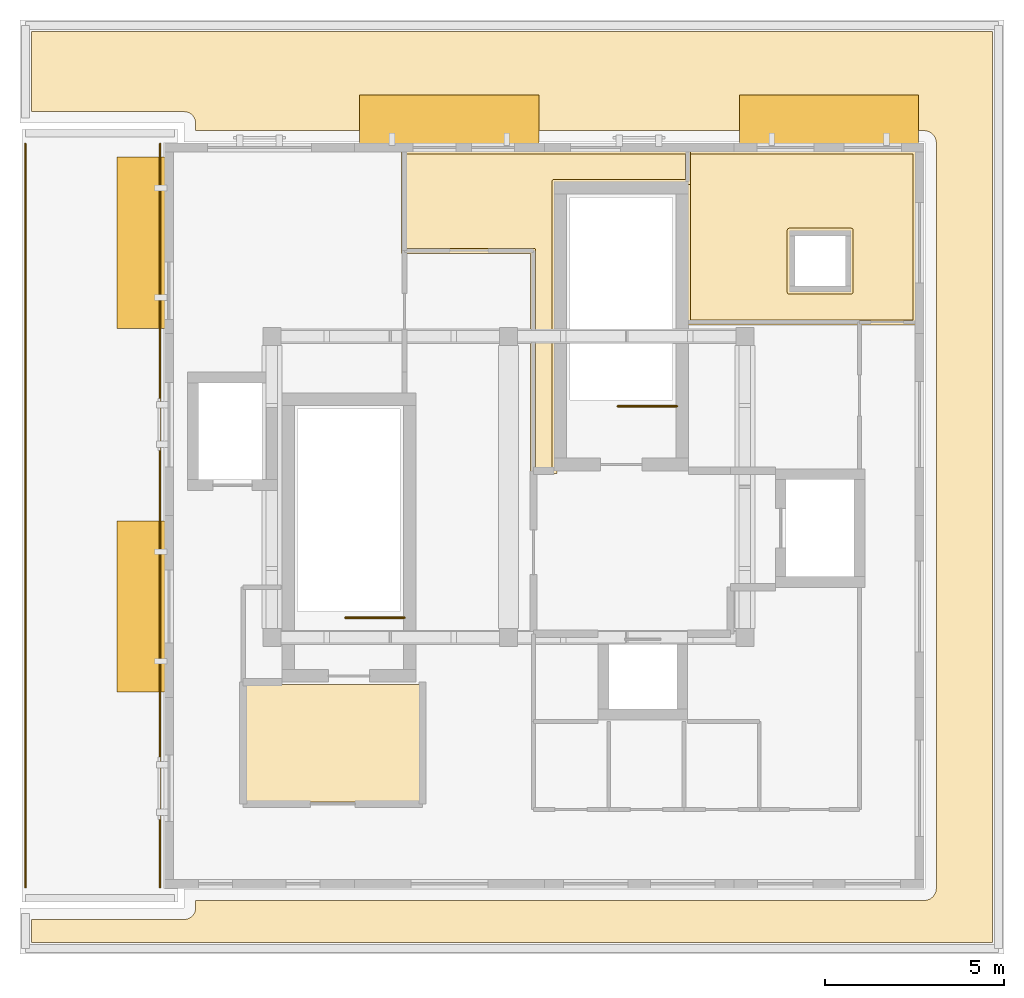
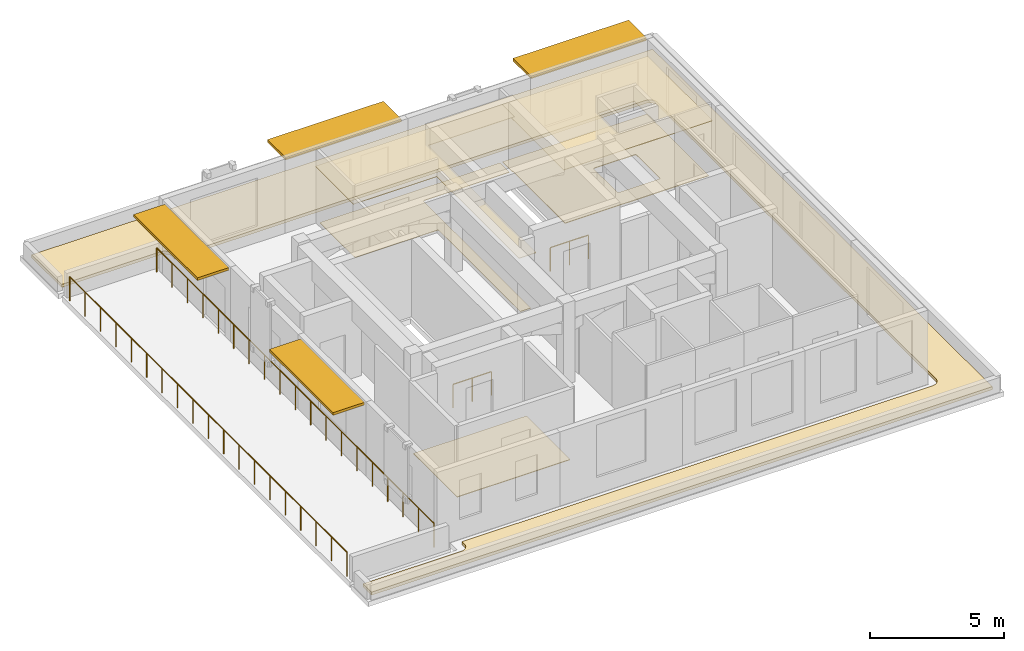
# One storey, part 5 of 5: 6 coverings, 4 railings, 4 shading devices.
"""IFC4 building model written with IfcOpenShell, lengths in metres."""

from ifc_helpers import new_model, si_unit, direction, frame, origin, origin_2d, place, context, subcontext, project, spatial, polyline, rectangle, circle, outline, extrude, material, layer, layer_set, type_object, element, save


model = new_model("IFC4")

# Units and contexts
model_context = context("Model", 3, precision=1e-05, world=origin(), true_north=direction((0.0, 1.0)))
body_context = subcontext(model_context, "Body", "Model", "MODEL_VIEW")
ifc_project = project(units=[si_unit("LENGTHUNIT", "METRE"), si_unit("AREAUNIT", "SQUARE_METRE"), si_unit("VOLUMEUNIT", "CUBIC_METRE"), si_unit("PLANEANGLEUNIT", "RADIAN"), si_unit("MASSUNIT", "GRAM", prefix="KILO")], contexts=[model_context])

# Site, building, storey
site_placement = place(None, origin())
site = spatial("IfcSite", under=ifc_project, at=site_placement, CompositionType="ELEMENT")
building_placement = place(site_placement, origin())
building = spatial("IfcBuilding", under=site, at=building_placement, Name="Kolvaren Faculty of Natural Sciences", CompositionType="ELEMENT")
storey_placement = place(building_placement, frame((0.0, 0.0, 44.39990234375)))
storey = spatial("IfcBuildingStorey", under=building, at=storey_placement, Name="L10", CompositionType="ELEMENT", Elevation=44.39990234375)

# Coverings
ifc_material_1 = material(Name="Perforated mineral-fibre acoustic suspended ceiling tile")
ifc_layer_1 = layer(ifc_material_1, 0.02490234375)
ifc_layer_set_1 = layer_set([ifc_layer_1], Name="Perforated mineral-fibre acoustic suspended ceiling tile")
covering_type_1 = type_object("IfcCoveringType", Name="AcousticSuspendedCeiling_25", PredefinedType="CEILING", material=ifc_layer_set_1)
covering_1_placement = place(storey_placement, frame((0.0, 0.0, 2.565185546875)))
element("IfcCovering", 1, at=covering_1_placement, inside=storey, type_object=covering_type_1, Name="L10 Observatory Instrument and Telescope Hall acoustic ceiling", PredefinedType="CEILING", context=body_context, shape_type="SweptSolid", body=[
    extrude(outline(polyline([(159.219970703125, 78.1201171875), (155.6201171875, 78.1201171875), (155.6201171875, 80.97998046875), (163.679931640625, 80.97998046875), (163.679931640625, 80.044921875), (159.955078125, 80.044921875), (159.955078125, 71.969970703125), (159.219970703125, 71.969970703125), (159.219970703125, 78.1201171875)])), origin(), (0.0, 0.0, 1.0), 0.02490234375),
])
covering_2_placement = place(storey_placement, frame((0.0, 0.0, 2.565185546875)))
element("IfcCovering", 2, at=covering_2_placement, inside=storey, type_object=covering_type_1, Name="L10 Faculty Sky Reading Lounge acoustic ceiling", PredefinedType="CEILING", context=body_context, shape_type="SweptSolid", body=[
    extrude(outline(polyline([(163.544921875, 80.044921875), (163.52001953125, 80.044921875), (163.52001953125, 80.97998046875), (169.97998046875, 80.97998046875), (169.97998046875, 76.1201171875), (163.544921875, 76.1201171875), (163.544921875, 80.044921875)]), holes=[polyline([(166.52001953125, 78.679931640625), (166.52001953125, 77.1201171875), (168.080078125, 77.1201171875), (168.080078125, 78.679931640625), (166.52001953125, 78.679931640625)])]), origin(), (0.0, 0.0, 1.0), 0.02490234375),
])

# Shading devices
ifc_material_2 = material(Name="Precast concrete C35/45", Category="concrete")
ifc_layer_2 = layer(ifc_material_2, 0.1201171875)
ifc_layer_set_2 = layer_set([ifc_layer_2], Name="Precast concrete C35/45")
shading_device_type = type_object("IfcShadingDeviceType", Name="ChhajjaSolarHood_1350", PredefinedType="AWNING", material=ifc_layer_set_2)
for number, where, z_axis, x_axis, name in (
    (3, (156.949951171875, 81.85498046875, 3.150146484375), (0.0, 0.0, 1.0), (1.0, 0.0, 0.0), "L10 precast sandstone chhajja solar hood 214"),
    (4, (167.550048828125, 81.85498046875, 3.150146484375), (0.0, 0.0, 1.0), (1.0, 0.0, 0.0), "L10 precast sandstone chhajja solar hood 215"),
):
    element("IfcShadingDevice", number, at=place(storey_placement, frame(where, z_axis=z_axis, x_axis=x_axis)), inside=storey, type_object=shading_device_type, Name=name, PredefinedType="AWNING", context=body_context, shape_type="SweptSolid", body=[
        extrude(rectangle(XDim=5.0, YDim=1.35009765625, at=origin_2d()), origin(), (0.0, 0.0, 1.0), 0.1201171875),
    ])
for number, where, z_axis, x_axis, name in (
    (5, (148.344970703125, 68.262451171875, 3.150146484375), (0.0, 0.0, 1.0), (0.0, 1.0, 0.0), "L10 precast sandstone chhajja solar hood 216"),
    (6, (148.344970703125, 78.41259765625, 3.150146484375), (0.0, 0.0, 1.0), (0.0, 1.0, 0.0), "L10 precast sandstone chhajja solar hood 217"),
):
    element("IfcShadingDevice", number, at=place(storey_placement, frame(where, z_axis=z_axis, x_axis=x_axis)), inside=storey, type_object=shading_device_type, Name=name, PredefinedType="AWNING", context=body_context, shape_type="SweptSolid", body=[
        extrude(rectangle(XDim=4.77490234375, YDim=1.35009765625, at=origin_2d()), origin(), (0.0, 0.0, 1.0), 0.1201171875),
    ])

# Railings
ifc_material_3 = material(Name="Structural steel EN 10210-1 S355J2H", Category="steel")
ifc_layer_3 = layer(ifc_material_3, 0.048095703125)
ifc_layer_set_3 = layer_set([ifc_layer_3], Name="Structural steel EN 10210-1 S355J2H")
railing_type_1 = type_object("IfcRailingType", Name="GuardRailing_GRD110", PredefinedType="BALUSTRADE", material=ifc_layer_set_3)
railing_1_placement = place(storey_placement, frame((145.1201171875, 60.429931640625, 0.0)))
element("IfcRailing", 7, at=railing_1_placement, inside=storey, type_object=railing_type_1, Name="L10 Observatory Galibo Perimeter Roof Terrace perimeter balustrade 24", PredefinedType="BALUSTRADE", context=body_context, shape_type="SweptSolid", body=[
    extrude(circle(Radius=0.02392578125, at=origin_2d()), frame((0.0, 0.0, 1.09619140625), z_axis=(0.0, 1.0, 0.0), x_axis=(-1.0, 0.0, 0.0)), (0.0, 0.0, 1.0), 20.739990234375),
    extrude(circle(Radius=0.02099609375, at=origin_2d()), origin(), (0.0, 0.0, 1.0), 1.072021484375),
    extrude(circle(Radius=0.02099609375, at=origin_2d()), frame((0.0, 1.15234375, 0.0)), (0.0, 0.0, 1.0), 1.072021484375),
    extrude(circle(Radius=0.02099609375, at=origin_2d()), frame((0.0, 2.304443359375, 0.0)), (0.0, 0.0, 1.0), 1.072021484375),
    extrude(circle(Radius=0.02099609375, at=origin_2d()), frame((0.0, 3.45654296875, 0.0)), (0.0, 0.0, 1.0), 1.072021484375),
    extrude(circle(Radius=0.02099609375, at=origin_2d()), frame((0.0, 4.60888671875, 0.0)), (0.0, 0.0, 1.0), 1.072021484375),
    extrude(circle(Radius=0.02099609375, at=origin_2d()), frame((0.0, 5.76123046875, 0.0)), (0.0, 0.0, 1.0), 1.072021484375),
    extrude(circle(Radius=0.02099609375, at=origin_2d()), frame((0.0, 6.913330078125, 0.0)), (0.0, 0.0, 1.0), 1.072021484375),
    extrude(circle(Radius=0.02099609375, at=origin_2d()), frame((0.0, 8.0654296875, 0.0)), (0.0, 0.0, 1.0), 1.072021484375),
    extrude(circle(Radius=0.02099609375, at=origin_2d()), frame((0.0, 9.2177734375, 0.0)), (0.0, 0.0, 1.0), 1.072021484375),
    extrude(circle(Radius=0.02099609375, at=origin_2d()), frame((0.0, 10.3701171875, 0.0)), (0.0, 0.0, 1.0), 1.072021484375),
    extrude(circle(Radius=0.02099609375, at=origin_2d()), frame((0.0, 11.522216796875, 0.0)), (0.0, 0.0, 1.0), 1.072021484375),
    extrude(circle(Radius=0.02099609375, at=origin_2d()), frame((0.0, 12.674560546875, 0.0)), (0.0, 0.0, 1.0), 1.072021484375),
    extrude(circle(Radius=0.02099609375, at=origin_2d()), frame((0.0, 13.82666015625, 0.0)), (0.0, 0.0, 1.0), 1.072021484375),
    extrude(circle(Radius=0.02099609375, at=origin_2d()), frame((0.0, 14.97900390625, 0.0)), (0.0, 0.0, 1.0), 1.072021484375),
    extrude(circle(Radius=0.02099609375, at=origin_2d()), frame((0.0, 16.131103515625, 0.0)), (0.0, 0.0, 1.0), 1.072021484375),
    extrude(circle(Radius=0.02099609375, at=origin_2d()), frame((0.0, 17.283203125, 0.0)), (0.0, 0.0, 1.0), 1.072021484375),
    extrude(circle(Radius=0.02099609375, at=origin_2d()), frame((0.0, 18.435546875, 0.0)), (0.0, 0.0, 1.0), 1.072021484375),
    extrude(circle(Radius=0.02099609375, at=origin_2d()), frame((0.0, 19.587890625, 0.0)), (0.0, 0.0, 1.0), 1.072021484375),
    extrude(circle(Radius=0.02099609375, at=origin_2d()), frame((0.0, 20.739990234375, 0.0)), (0.0, 0.0, 1.0), 1.072021484375),
])
railing_2_placement = place(storey_placement, frame((148.8798828125, 81.169921875, 0.0)))
element("IfcRailing", 8, at=railing_2_placement, inside=storey, type_object=railing_type_1, Name="L10 Observatory Galibo Perimeter Roof Terrace perimeter balustrade 25", PredefinedType="BALUSTRADE", context=body_context, shape_type="SweptSolid", body=[
    extrude(circle(Radius=0.02392578125, at=origin_2d()), frame((0.0, 0.0, 1.09619140625), z_axis=(0.0, -1.0, 0.0), x_axis=(1.0, 0.0, 0.0)), (0.0, 0.0, 1.0), 20.739990234375),
    extrude(circle(Radius=0.02099609375, at=origin_2d()), origin(), (0.0, 0.0, 1.0), 1.072021484375),
    extrude(circle(Radius=0.02099609375, at=origin_2d()), frame((0.0, -1.15234375, 0.0)), (0.0, 0.0, 1.0), 1.072021484375),
    extrude(circle(Radius=0.02099609375, at=origin_2d()), frame((0.0, -2.304443359375, 0.0)), (0.0, 0.0, 1.0), 1.072021484375),
    extrude(circle(Radius=0.02099609375, at=origin_2d()), frame((0.0, -3.45654296875, 0.0)), (0.0, 0.0, 1.0), 1.072021484375),
    extrude(circle(Radius=0.02099609375, at=origin_2d()), frame((0.0, -4.60888671875, 0.0)), (0.0, 0.0, 1.0), 1.072021484375),
    extrude(circle(Radius=0.02099609375, at=origin_2d()), frame((0.0, -5.76123046875, 0.0)), (0.0, 0.0, 1.0), 1.072021484375),
    extrude(circle(Radius=0.02099609375, at=origin_2d()), frame((0.0, -6.913330078125, 0.0)), (0.0, 0.0, 1.0), 1.072021484375),
    extrude(circle(Radius=0.02099609375, at=origin_2d()), frame((0.0, -8.0654296875, 0.0)), (0.0, 0.0, 1.0), 1.072021484375),
    extrude(circle(Radius=0.02099609375, at=origin_2d()), frame((0.0, -9.2177734375, 0.0)), (0.0, 0.0, 1.0), 1.072021484375),
    extrude(circle(Radius=0.02099609375, at=origin_2d()), frame((0.0, -10.3701171875, 0.0)), (0.0, 0.0, 1.0), 1.072021484375),
    extrude(circle(Radius=0.02099609375, at=origin_2d()), frame((0.0, -11.522216796875, 0.0)), (0.0, 0.0, 1.0), 1.072021484375),
    extrude(circle(Radius=0.02099609375, at=origin_2d()), frame((0.0, -12.674560546875, 0.0)), (0.0, 0.0, 1.0), 1.072021484375),
    extrude(circle(Radius=0.02099609375, at=origin_2d()), frame((0.0, -13.82666015625, 0.0)), (0.0, 0.0, 1.0), 1.072021484375),
    extrude(circle(Radius=0.02099609375, at=origin_2d()), frame((0.0, -14.97900390625, 0.0)), (0.0, 0.0, 1.0), 1.072021484375),
    extrude(circle(Radius=0.02099609375, at=origin_2d()), frame((0.0, -16.131103515625, 0.0)), (0.0, 0.0, 1.0), 1.072021484375),
    extrude(circle(Radius=0.02099609375, at=origin_2d()), frame((0.0, -17.283203125, 0.0)), (0.0, 0.0, 1.0), 1.072021484375),
    extrude(circle(Radius=0.02099609375, at=origin_2d()), frame((0.0, -18.435546875, 0.0)), (0.0, 0.0, 1.0), 1.072021484375),
    extrude(circle(Radius=0.02099609375, at=origin_2d()), frame((0.0, -19.587890625, 0.0)), (0.0, 0.0, 1.0), 1.072021484375),
    extrude(circle(Radius=0.02099609375, at=origin_2d()), frame((0.0, -20.739990234375, 0.0)), (0.0, 0.0, 1.0), 1.072021484375),
])

# Coverings
ifc_material_4 = material(Name="SBS polymer-modified bitumen waterproofing membrane over PIR insulation")
ifc_layer_4 = layer(ifc_material_4, 0.139892578125)
ifc_layer_set_4 = layer_set([ifc_layer_4], Name="SBS polymer-modified bitumen waterproofing membrane over PIR insulation")
covering_type_2 = type_object("IfcCoveringType", Name="InsulatedRoofMembrane_140", PredefinedType="ROOFING", material=ifc_layer_set_4)
covering_3_placement = place(storey_placement, origin())
element("IfcCovering", 9, at=covering_3_placement, inside=storey, type_object=covering_type_2, Name="L10 insulated warm-roof waterproofing membrane 1", PredefinedType="ROOFING", context=body_context, shape_type="SweptSolid", body=[
    extrude(outline(polyline([(172.110107421875, 84.31005859375), (172.110107421875, 58.889892578125), (145.2900390625, 58.889892578125), (145.2900390625, 59.530029296875), (149.550048828125, 59.530029296875), (149.581298828125, 59.531494140625), (149.6123046875, 59.5361328125), (149.642822265625, 59.543701171875), (149.672607421875, 59.554443359375), (149.70068359375, 59.56787109375), (149.727783203125, 59.583984375), (149.7529296875, 59.6025390625), (149.7763671875, 59.623779296875), (149.79736328125, 59.64697265625), (149.816162109375, 59.672119140625), (149.832275390625, 59.69921875), (149.845703125, 59.7275390625), (149.856201171875, 59.757080078125), (149.864013671875, 59.78759765625), (149.868408203125, 59.818603515625), (149.8701171875, 59.85009765625), (149.8701171875, 60.06005859375), (170.199951171875, 60.06005859375), (170.216064453125, 60.060302734375), (170.218017578125, 60.060546875), (170.251953125, 60.06396484375), (170.25390625, 60.064208984375), (170.285400390625, 60.07080078125), (170.287109375, 60.0712890625), (170.30224609375, 60.07568359375), (170.30419921875, 60.076416015625), (170.331298828125, 60.086181640625), (170.357421875, 60.0986328125), (170.359130859375, 60.099609375), (170.37158203125, 60.106689453125), (170.373291015625, 60.107666015625), (170.392333984375, 60.11962890625), (170.39404296875, 60.120849609375), (170.417236328125, 60.138427734375), (170.43896484375, 60.158203125), (170.4404296875, 60.15966796875), (170.44189453125, 60.160888671875), (170.46142578125, 60.1826171875), (170.479248046875, 60.2060546875), (170.480224609375, 60.20751953125), (170.492431640625, 60.226806640625), (170.493408203125, 60.228515625), (170.50048828125, 60.240966796875), (170.501220703125, 60.24267578125), (170.513671875, 60.268798828125), (170.523681640625, 60.2958984375), (170.524169921875, 60.2978515625), (170.528564453125, 60.312744140625), (170.529052734375, 60.314697265625), (170.53564453125, 60.34619140625), (170.535888671875, 60.34814453125), (170.53955078125, 60.382080078125), (170.53955078125, 60.384033203125), (170.5400390625, 60.39990234375), (170.5400390625, 81.199951171875), (170.53955078125, 81.216064453125), (170.53955078125, 81.218017578125), (170.535888671875, 81.251953125), (170.53564453125, 81.25390625), (170.529052734375, 81.285400390625), (170.528564453125, 81.287109375), (170.524169921875, 81.30224609375), (170.523681640625, 81.30419921875), (170.513671875, 81.331298828125), (170.501220703125, 81.357421875), (170.50048828125, 81.359130859375), (170.493408203125, 81.37158203125), (170.492431640625, 81.373291015625), (170.480224609375, 81.392333984375), (170.479248046875, 81.39404296875), (170.46142578125, 81.417236328125), (170.44189453125, 81.43896484375), (170.43896484375, 81.44189453125), (170.417236328125, 81.46142578125), (170.39404296875, 81.479248046875), (170.392333984375, 81.480224609375), (170.373291015625, 81.492431640625), (170.37158203125, 81.493408203125), (170.359130859375, 81.50048828125), (170.357421875, 81.501220703125), (170.331298828125, 81.513671875), (170.30419921875, 81.523681640625), (170.30224609375, 81.524169921875), (170.287109375, 81.528564453125), (170.285400390625, 81.529052734375), (170.25390625, 81.53564453125), (170.251953125, 81.535888671875), (170.218017578125, 81.53955078125), (170.216064453125, 81.53955078125), (170.199951171875, 81.5400390625), (149.8701171875, 81.5400390625), (149.8701171875, 81.75), (149.868408203125, 81.781494140625), (149.864013671875, 81.8125), (149.856201171875, 81.843017578125), (149.845703125, 81.87255859375), (149.832275390625, 81.90087890625), (149.816162109375, 81.927734375), (149.79736328125, 81.952880859375), (149.7763671875, 81.976318359375), (149.7529296875, 81.997314453125), (149.727783203125, 82.01611328125), (149.70068359375, 82.0322265625), (149.672607421875, 82.045654296875), (149.642822265625, 82.05615234375), (149.6123046875, 82.06396484375), (149.581298828125, 82.068603515625), (149.550048828125, 82.070068359375), (145.2900390625, 82.070068359375), (145.2900390625, 84.31005859375), (172.110107421875, 84.31005859375)])), origin(), (0.0, 0.0, 1.0), 0.14013671875),
])
ifc_material_5 = material(Name="Seamless chemical-resistant laboratory epoxy resin flooring")
ifc_layer_5 = layer(ifc_material_5, 0.02001953125)
ifc_layer_set_5 = layer_set([ifc_layer_5], Name="Seamless chemical-resistant laboratory epoxy resin flooring")
covering_type_3 = type_object("IfcCoveringType", Name="LabEpoxyFloorFinish_20", PredefinedType="FLOORING", material=ifc_layer_set_5)
covering_4_placement = place(storey_placement, origin())
element("IfcCovering", 10, at=covering_4_placement, inside=storey, type_object=covering_type_3, Name="L10 Observatory Instrument and Telescope Hall floor finish", PredefinedType="FLOORING", context=body_context, shape_type="SweptSolid", body=[
    extrude(outline(polyline([(159.360107421875, 72.110107421875), (159.360107421875, 78.199951171875), (159.359619140625, 78.205810546875), (159.35888671875, 78.211669921875), (159.357421875, 78.21728515625), (159.35546875, 78.222900390625), (159.352783203125, 78.228271484375), (159.349853515625, 78.2333984375), (159.346435546875, 78.238037109375), (159.34228515625, 78.242431640625), (159.338134765625, 78.246337890625), (159.333251953125, 78.25), (159.328369140625, 78.2529296875), (159.322998046875, 78.25537109375), (159.3173828125, 78.25732421875), (159.311767578125, 78.2587890625), (159.305908203125, 78.259765625), (159.300048828125, 78.260009765625), (155.760009765625, 78.260009765625), (155.760009765625, 80.889892578125), (163.5400390625, 80.889892578125), (163.5400390625, 80.18505859375), (159.875, 80.18505859375), (159.869140625, 80.184814453125), (159.86328125, 80.183837890625), (159.857666015625, 80.182373046875), (159.85205078125, 80.180419921875), (159.8466796875, 80.177978515625), (159.841796875, 80.1748046875), (159.8369140625, 80.17138671875), (159.83251953125, 80.16748046875), (159.82861328125, 80.1630859375), (159.8251953125, 80.158203125), (159.822021484375, 80.1533203125), (159.819580078125, 80.14794921875), (159.817626953125, 80.142333984375), (159.816162109375, 80.13671875), (159.815185546875, 80.130859375), (159.81494140625, 80.125), (159.81494140625, 72.110107421875), (159.360107421875, 72.110107421875)])), origin(), (0.0, 0.0, 1.0), 0.02001953125),
])

# Railings
ifc_layer_6 = layer(ifc_material_3, 0.048095703125)
ifc_layer_set_6 = layer_set([ifc_layer_6], Name="Structural steel EN 10210-1 S355J2H")
railing_type_2 = type_object("IfcRailingType", Name="StairWellGuard_1100", PredefinedType="BALUSTRADE", material=ifc_layer_set_6)
railing_3_placement = place(storey_placement, frame((163.300048828125, 73.85009765625, 0.0)))
element("IfcRailing", 11, at=railing_3_placement, inside=storey, type_object=railing_type_2, Name="L10 ST-1 top well guard 1", PredefinedType="BALUSTRADE", context=body_context, shape_type="SweptSolid", body=[
    extrude(circle(Radius=0.02392578125, at=origin_2d()), frame((0.0, 0.0, 1.076171875), z_axis=(-1.0, 0.0, 0.0), x_axis=(0.0, -1.0, 0.0)), (0.0, 0.0, 1.0), 1.650146484375),
    extrude(circle(Radius=0.02099609375, at=origin_2d()), origin(), (0.0, 0.0, 1.0), 1.052001953125),
    extrude(circle(Radius=0.02099609375, at=origin_2d()), frame((-0.8251953125, 0.0, 0.0)), (0.0, 0.0, 1.0), 1.052001953125),
    extrude(circle(Radius=0.02099609375, at=origin_2d()), frame((-1.650146484375, 0.0, 0.0)), (0.0, 0.0, 1.0), 1.052001953125),
])
railing_4_placement = place(storey_placement, frame((155.699951171875, 67.949951171875, 0.0)))
element("IfcRailing", 12, at=railing_4_placement, inside=storey, type_object=railing_type_2, Name="L10 ST-2 top well guard 1", PredefinedType="BALUSTRADE", context=body_context, shape_type="SweptSolid", body=[
    extrude(circle(Radius=0.02392578125, at=origin_2d()), frame((0.0, 0.0, 1.076171875), z_axis=(-1.0, 0.0, 0.0), x_axis=(0.0, -1.0, 0.0)), (0.0, 0.0, 1.0), 1.64990234375),
    extrude(circle(Radius=0.02099609375, at=origin_2d()), origin(), (0.0, 0.0, 1.0), 1.052001953125),
    extrude(circle(Radius=0.02099609375, at=origin_2d()), frame((-0.824951171875, 0.0, 0.0)), (0.0, 0.0, 1.0), 1.052001953125),
    extrude(circle(Radius=0.02099609375, at=origin_2d()), frame((-1.64990234375, 0.0, 0.0)), (0.0, 0.0, 1.0), 1.052001953125),
])

# Coverings
ifc_material_6 = material(Name="Polished Uruguayan grey granite terrazzo flooring", Category="masonry")
ifc_layer_7 = layer(ifc_material_6, 0.030029296875)
ifc_layer_set_7 = layer_set([ifc_layer_7], Name="Polished Uruguayan grey granite terrazzo flooring")
covering_type_4 = type_object("IfcCoveringType", Name="TerrazzoFloorFinish_30", PredefinedType="FLOORING", material=ifc_layer_set_7)
covering_5_placement = place(storey_placement, origin())
element("IfcCovering", 13, at=covering_5_placement, inside=storey, type_object=covering_type_4, Name="L10 L10 Firefighting Rescue Lobby CORE-C2 floor finish", PredefinedType="FLOORING", context=body_context, shape_type="SweptSolid", body=[
    extrude(outline(polyline([(156.139892578125, 66.090087890625), (156.139892578125, 62.81005859375), (151.260009765625, 62.81005859375), (151.260009765625, 66.090087890625), (156.139892578125, 66.090087890625)])), origin(), (0.0, 0.0, 1.0), 0.030029296875),
])
covering_6_placement = place(storey_placement, origin())
element("IfcCovering", 14, at=covering_6_placement, inside=storey, type_object=covering_type_4, Name="L10 Faculty Sky Reading Lounge floor finish", PredefinedType="FLOORING", context=body_context, shape_type="SweptSolid", body=[
    extrude(outline(polyline([(163.659912109375, 80.889892578125), (169.889892578125, 80.889892578125), (169.889892578125, 76.260009765625), (163.68505859375, 76.260009765625), (163.68505859375, 80.125), (163.684814453125, 80.130859375), (163.683837890625, 80.13671875), (163.682373046875, 80.142333984375), (163.680419921875, 80.14794921875), (163.677978515625, 80.1533203125), (163.6748046875, 80.158203125), (163.67138671875, 80.1630859375), (163.66748046875, 80.16748046875), (163.6630859375, 80.17138671875), (163.659912109375, 80.173583984375), (163.659912109375, 80.889892578125)]), holes=[polyline([(168.166015625, 76.980224609375), (168.171630859375, 76.981201171875), (168.177490234375, 76.982666015625), (168.18310546875, 76.984619140625), (168.188232421875, 76.987060546875), (168.193359375, 76.989990234375), (168.197998046875, 76.99365234375), (168.202392578125, 76.99755859375), (168.206298828125, 77.001953125), (168.2099609375, 77.006591796875), (168.212890625, 77.01171875), (168.21533203125, 77.01708984375), (168.21728515625, 77.022705078125), (168.21875, 77.0283203125), (168.2197265625, 77.0341796875), (168.219970703125, 77.0400390625), (168.219970703125, 78.760009765625), (168.2197265625, 78.765869140625), (168.21875, 78.771728515625), (168.21728515625, 78.77734375), (168.21533203125, 78.782958984375), (168.212890625, 78.788330078125), (168.2099609375, 78.793212890625), (168.206298828125, 78.798095703125), (168.202392578125, 78.802490234375), (168.197998046875, 78.806396484375), (168.193359375, 78.809814453125), (168.188232421875, 78.81298828125), (168.18310546875, 78.8154296875), (168.177490234375, 78.8173828125), (168.171630859375, 78.81884765625), (168.166015625, 78.819580078125), (168.159912109375, 78.820068359375), (166.43994140625, 78.820068359375), (166.43408203125, 78.819580078125), (166.42822265625, 78.81884765625), (166.422607421875, 78.8173828125), (166.4169921875, 78.8154296875), (166.41162109375, 78.81298828125), (166.40673828125, 78.809814453125), (166.40185546875, 78.806396484375), (166.397705078125, 78.802490234375), (166.3935546875, 78.798095703125), (166.39013671875, 78.793212890625), (166.38720703125, 78.788330078125), (166.384521484375, 78.782958984375), (166.382568359375, 78.77734375), (166.381103515625, 78.771728515625), (166.38037109375, 78.765869140625), (166.3798828125, 78.760009765625), (166.3798828125, 77.0400390625), (166.38037109375, 77.0341796875), (166.381103515625, 77.0283203125), (166.382568359375, 77.022705078125), (166.384521484375, 77.01708984375), (166.38720703125, 77.01171875), (166.39013671875, 77.006591796875), (166.3935546875, 77.001953125), (166.397705078125, 76.99755859375), (166.40185546875, 76.99365234375), (166.40673828125, 76.989990234375), (166.41162109375, 76.987060546875), (166.4169921875, 76.984619140625), (166.422607421875, 76.982666015625), (166.42822265625, 76.981201171875), (166.43408203125, 76.980224609375), (166.43994140625, 76.97998046875), (168.159912109375, 76.97998046875), (168.166015625, 76.980224609375)])]), origin(), (0.0, 0.0, 1.0), 0.030029296875),
])

save(model, "model.ifc")
